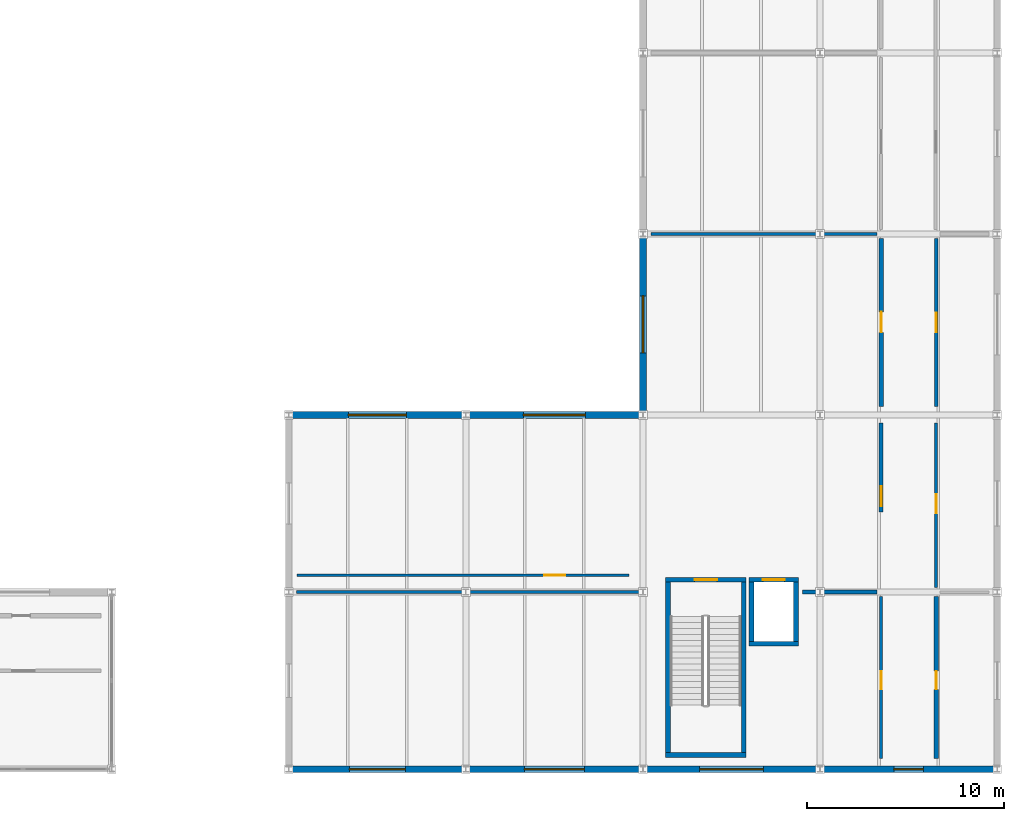
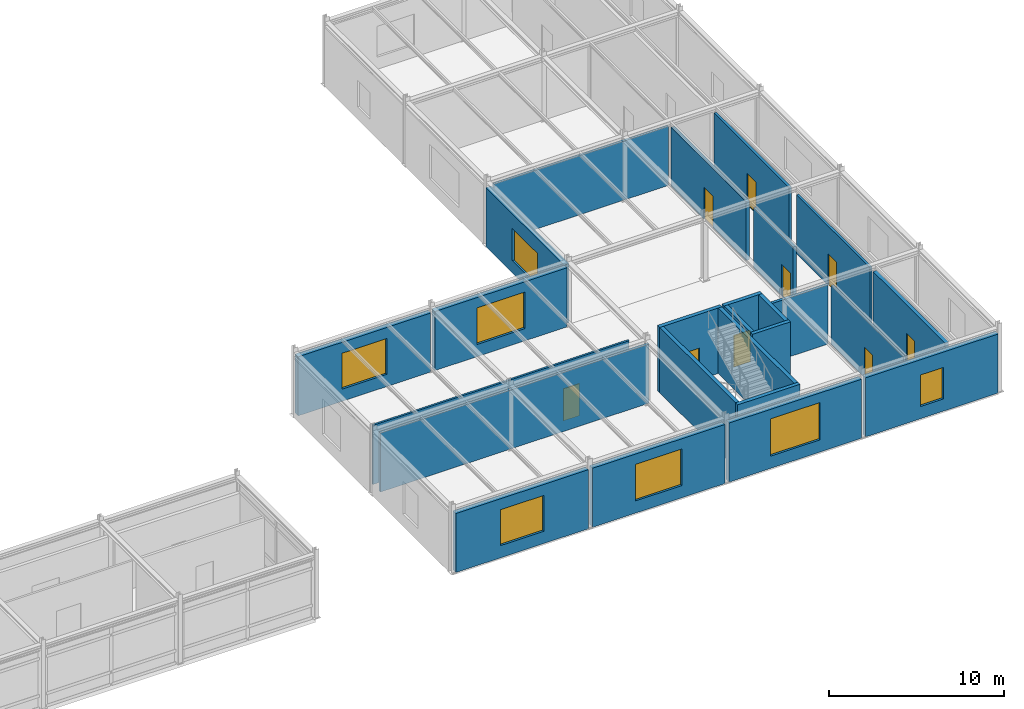
# One storey, part 49 of 61: 25 walls, 9 doors, 7 windows, 16 openings.
"""IFC4 building model written with IfcOpenShell, lengths in metres."""

from ifc_helpers import new_model, si_unit, direction, frame, frame_2d, origin, place, context, subcontext, project, spatial, rectangle, extrude, material, layer, layer_set, type_object, element, fill, save


model = new_model("IFC4")

# Units and contexts
model_context = context("Model", 3, precision=1e-05, world=origin(), true_north=direction((0.0, 1.0)))
body_context = subcontext(model_context, "Body", "Model", "MODEL_VIEW")
ifc_project = project(units=[si_unit("LENGTHUNIT", "METRE"), si_unit("AREAUNIT", "SQUARE_METRE"), si_unit("VOLUMEUNIT", "CUBIC_METRE"), si_unit("PLANEANGLEUNIT", "RADIAN"), si_unit("MASSUNIT", "GRAM", prefix="KILO")], contexts=[model_context])

# Site, building, storey
site_placement = place(None, origin())
site = spatial("IfcSite", under=ifc_project, at=site_placement, CompositionType="ELEMENT")
building_placement = place(site_placement, origin())
building = spatial("IfcBuilding", under=site, at=building_placement, Name="Bozkorgan Art Gallery", CompositionType="ELEMENT")
storey_placement = place(building_placement, frame((0.0, 0.0, 10.199951171875)))
storey = spatial("IfcBuildingStorey", under=building, at=storey_placement, Name="L02", CompositionType="ELEMENT", Elevation=10.199951171875)

# Wall, opening, door
ifc_material_1 = material(Name="Concrete C40/50", Category="concrete")
ifc_layer_1 = layer(ifc_material_1, 0.25, Name="Concrete C40/50")
ifc_layer_set_1 = layer_set([ifc_layer_1], Name="Concrete C40/50")
wall_type_1 = type_object("IfcWallType", Name="IWALL-CW-51", PredefinedType="SHEAR", material=ifc_layer_set_1)
wall_1_placement = place(storey_placement, frame((147.14990234375, 11.625, 0.0), z_axis=(0.0, 0.0, 1.0), x_axis=(1.0, 0.0, 0.0)))
wall_1 = element("IfcWall", 1, at=wall_1_placement, inside=storey, type_object=wall_type_1, Name="CORE4 L02 stair core north shear wall", PredefinedType="SHEAR", context=body_context, shape_type="SweptSolid", body=[
    extrude(rectangle(XDim=4.10009765625, YDim=0.25, at=frame_2d((2.050048828125, 0.0))), origin(), (0.0, 0.0, 1.0), 4.56005859375),
])
opening_1_placement = place(wall_1_placement, frame((2.625, 0.0, 0.0), z_axis=(0.0, 0.0, 1.0), x_axis=(-1.0, 0.0, 0.0)))
opening_1 = element("IfcOpeningElement", 2, at=opening_1_placement, cuts=wall_1, Name="Opening SD-41", PredefinedType="OPENING", context=body_context, shape_type="SweptSolid", body=[
    extrude(rectangle(XDim=1.14990234375, YDim=2.199951171875, at=frame_2d((0.574951171875, 1.10009765625))), frame((0.0, 0.135009765625, 0.0), z_axis=(0.0, -1.0, 0.0), x_axis=(1.0, 0.0, 0.0)), (0.0, 0.0, 1.0), 0.27001953125),
])
ifc_material_2 = material(Name="Steel S355J2", Category="steel")
door_type_1 = type_object("IfcDoorType", Name="IDOOR-SD-41", OperationType="NOTDEFINED", PredefinedType="DOOR", material=ifc_material_2)
door_1_placement = place(opening_1_placement, origin())
door_1 = element("IfcDoor", 3, at=door_1_placement, inside=storey, type_object=door_type_1, Name="ST4 L02 Fire Stair Door", OperationType="SINGLE_SWING_LEFT", OverallHeight=2.199951171875, OverallWidth=1.14990234375, PredefinedType="DOOR", context=body_context, shape_type="SweptSolid", body=[
    extrude(rectangle(XDim=1.14990234375, YDim=2.199951171875, at=frame_2d((0.574951171875, 1.10009765625))), frame((0.0, 0.02490234375, 0.0), z_axis=(0.0, -1.0, 0.0), x_axis=(1.0, 0.0, 0.0)), (0.0, 0.0, 1.0), 0.050048828125),
])
fill(opening_1, door_1)

# Walls
wall_2_placement = place(storey_placement, frame((147.14990234375, 2.72509765625, 0.0), z_axis=(0.0, 0.0, 1.0), x_axis=(1.0, 0.0, 0.0)))
element("IfcWall", 4, at=wall_2_placement, inside=storey, type_object=wall_type_1, Name="CORE4 L02 stair core S shear wall", PredefinedType="SHEAR", context=body_context, shape_type="SweptSolid", body=[
    extrude(rectangle(XDim=4.10009765625, YDim=0.25, at=frame_2d((2.050048828125, 0.0))), origin(), (0.0, 0.0, 1.0), 4.56005859375),
])
for number, where, z_axis, x_axis, name in (
    (5, (147.27490234375, 2.85009765625, 0.0), (0.0, 0.0, 1.0), (0.0, 1.0, 0.0), "CORE4 L02 stair core W shear wall"),
    (6, (151.125, 2.85009765625, 0.0), (0.0, 0.0, 1.0), (0.0, 1.0, 0.0), "CORE4 L02 stair core E shear wall"),
):
    element("IfcWall", number, at=place(storey_placement, frame(where, z_axis=z_axis, x_axis=x_axis)), inside=storey, type_object=wall_type_1, Name=name, PredefinedType="SHEAR", context=body_context, shape_type="SweptSolid", body=[
        extrude(rectangle(XDim=8.64990234375, YDim=0.25, at=frame_2d((4.324951171875, 0.0))), origin(), (0.0, 0.0, 1.0), 4.56005859375),
    ])

# Wall, opening, door
wall_3_placement = place(storey_placement, frame((151.39990234375, 11.625, 0.0), z_axis=(0.0, 0.0, 1.0), x_axis=(1.0, 0.0, 0.0)))
wall_3 = element("IfcWall", 7, at=wall_3_placement, inside=storey, type_object=wall_type_1, Name="PL4 L02 shaft front shear wall", PredefinedType="SHEAR", context=body_context, shape_type="SweptSolid", body=[
    extrude(rectangle(XDim=2.5, YDim=0.25, at=frame_2d((1.25, 0.0))), origin(), (0.0, 0.0, 1.0), 4.56005859375),
])
opening_2_placement = place(wall_3_placement, frame((0.699951171875, 0.0, 0.0)))
opening_2 = element("IfcOpeningElement", 8, at=opening_2_placement, cuts=wall_3, Name="Opening LD-25", PredefinedType="OPENING", context=body_context, shape_type="SweptSolid", body=[
    extrude(rectangle(XDim=1.10009765625, YDim=2.199951171875, at=frame_2d((0.550048828125, 1.10009765625))), frame((0.0, 0.135009765625, 0.0), z_axis=(0.0, -1.0, 0.0), x_axis=(1.0, 0.0, 0.0)), (0.0, 0.0, 1.0), 0.27001953125),
])
door_type_2 = type_object("IfcDoorType", Name="IDOOR-LD-25", OperationType="NOTDEFINED", PredefinedType="DOOR", material=ifc_material_2)
door_2_placement = place(opening_2_placement, origin())
door_2 = element("IfcDoor", 9, at=door_2_placement, inside=storey, type_object=door_type_2, Name="LD-PL4-L02 Lift Landing Door", OperationType="SLIDING_TO_LEFT", OverallHeight=2.199951171875, OverallWidth=1.10009765625, PredefinedType="DOOR", context=body_context, shape_type="SweptSolid", body=[
    extrude(rectangle(XDim=1.10009765625, YDim=2.199951171875, at=frame_2d((0.550048828125, 1.10009765625))), frame((0.0, 0.02490234375, 0.0), z_axis=(0.0, -1.0, 0.0), x_axis=(1.0, 0.0, 0.0)), (0.0, 0.0, 1.0), 0.050048828125),
])
fill(opening_2, door_2)

# Walls
wall_4_placement = place(storey_placement, frame((151.39990234375, 8.375, 0.0), z_axis=(0.0, 0.0, 1.0), x_axis=(1.0, 0.0, 0.0)))
element("IfcWall", 10, at=wall_4_placement, inside=storey, type_object=wall_type_1, Name="PL4 L02 shaft S shear wall", PredefinedType="SHEAR", context=body_context, shape_type="SweptSolid", body=[
    extrude(rectangle(XDim=2.5, YDim=0.25, at=frame_2d((1.25, 0.0))), origin(), (0.0, 0.0, 1.0), 4.56005859375),
])
for number, where, z_axis, x_axis, name in (
    (11, (153.77490234375, 8.5, 0.0), (0.0, 0.0, 1.0), (0.0, 1.0, 0.0), "PL4 L02 shaft E shear wall"),
    (12, (151.52490234375, 8.5, 0.0), (0.0, 0.0, 1.0), (0.0, 1.0, 0.0), "PL4 L02 shaft W shear wall"),
):
    element("IfcWall", number, at=place(storey_placement, frame(where, z_axis=z_axis, x_axis=x_axis)), inside=storey, type_object=wall_type_1, Name=name, PredefinedType="SHEAR", context=body_context, shape_type="SweptSolid", body=[
        extrude(rectangle(XDim=3.0, YDim=0.25, at=frame_2d((1.5, 0.0))), origin(), (0.0, 0.0, 1.0), 4.56005859375),
    ])

# Wall, opening, door
ifc_material_3 = material(Name="Acoustic Gypsum & Mineral Wool Partition")
ifc_layer_2 = layer(ifc_material_3, 0.22998046875, Name="Acoustic Gypsum & Mineral Wool Partition")
ifc_layer_set_2 = layer_set([ifc_layer_2], Name="Acoustic Gypsum & Mineral Wool Partition")
wall_type_2 = type_object("IfcWallType", Name="IWALL-PR-08", PredefinedType="PARTITIONING", material=ifc_layer_set_2)
wall_5_placement = place(storey_placement, frame((158.10009765625, 20.419921875, 0.0), z_axis=(0.0, 0.0, 1.0), x_axis=(0.0, 1.0, 0.0)))
wall_5 = element("IfcWall", 13, at=wall_5_placement, inside=storey, type_object=wall_type_2, Name="V6 L02 acoustic partition wall 383", PredefinedType="PARTITIONING", context=body_context, shape_type="SweptSolid", body=[
    extrude(rectangle(XDim=8.56005859375, YDim=0.22998046875, at=frame_2d((4.280029296875, 0.0))), origin(), (0.0, 0.0, 1.0), 4.114990234375),
])
opening_3_placement = place(wall_5_placement, frame((4.820068359375, 0.0, 0.0), z_axis=(0.0, 0.0, 1.0), x_axis=(-1.0, 0.0, 0.0)))
opening_3 = element("IfcOpeningElement", 14, at=opening_3_placement, cuts=wall_5, Name="Opening FD-96", PredefinedType="OPENING", context=body_context, shape_type="SweptSolid", body=[
    extrude(rectangle(XDim=1.0400390625, YDim=2.219970703125, at=frame_2d((0.52001953125, 1.10986328125))), frame((0.0, 0.125, 0.0), z_axis=(0.0, -1.0, 0.0), x_axis=(1.0, 0.0, 0.0)), (0.0, 0.0, 1.0), 0.25),
])
ifc_material_4 = material(Name="Oiled European Oak Joinery")
door_type_3 = type_object("IfcDoorType", Name="IDOOR-FD-96", OperationType="NOTDEFINED", PredefinedType="DOOR", material=ifc_material_4)
door_3_placement = place(opening_3_placement, origin())
door_3 = element("IfcDoor", 15, at=door_3_placement, inside=storey, type_object=door_type_3, Name="Plaster Casting Workshop Door", OperationType="SINGLE_SWING_RIGHT", OverallHeight=2.219970703125, OverallWidth=1.0400390625, PredefinedType="DOOR", context=body_context, shape_type="SweptSolid", body=[
    extrude(rectangle(XDim=1.0400390625, YDim=2.219970703125, at=frame_2d((0.52001953125, 1.10986328125))), frame((0.0, 0.02490234375, 0.0), z_axis=(0.0, -1.0, 0.0), x_axis=(1.0, 0.0, 0.0)), (0.0, 0.0, 1.0), 0.050048828125),
])
fill(opening_3, door_3)

wall_6_placement = place(storey_placement, frame((160.89990234375, 2.5400390625, 0.0), z_axis=(0.0, 0.0, 1.0), x_axis=(0.0, 1.0, 0.0)))
wall_6 = element("IfcWall", 16, at=wall_6_placement, inside=storey, type_object=wall_type_2, Name="V6 L02 acoustic partition wall 389", PredefinedType="PARTITIONING", context=body_context, shape_type="SweptSolid", body=[
    extrude(rectangle(XDim=8.239990234375, YDim=0.22998046875, at=frame_2d((4.1201171875, 0.0))), origin(), (0.0, 0.0, 1.0), 4.114990234375),
])
opening_4_placement = place(wall_6_placement, frame((3.519287109375, 0.0, 0.0)))
opening_4 = element("IfcOpeningElement", 17, at=opening_4_placement, cuts=wall_6, Name="Opening FD-12", PredefinedType="OPENING", context=body_context, shape_type="SweptSolid", body=[
    extrude(rectangle(XDim=0.919921875, YDim=2.1201171875, at=frame_2d((0.4599609375, 1.06005859375))), frame((0.0, 0.125, 0.0), z_axis=(0.0, -1.0, 0.0), x_axis=(1.0, 0.0, 0.0)), (0.0, 0.0, 1.0), 0.25),
])
door_type_4 = type_object("IfcDoorType", Name="IDOOR-FD-12", OperationType="NOTDEFINED", PredefinedType="DOOR", material=ifc_material_4)
door_4_placement = place(opening_4_placement, origin())
door_4 = element("IfcDoor", 18, at=door_4_placement, inside=storey, type_object=door_type_4, Name="Sculpture Workshop Studio Door", OperationType="SINGLE_SWING_RIGHT", OverallHeight=2.1201171875, OverallWidth=0.919921875, PredefinedType="DOOR", context=body_context, shape_type="SweptSolid", body=[
    extrude(rectangle(XDim=0.919921875, YDim=2.1201171875, at=frame_2d((0.4599609375, 1.06005859375))), frame((0.0, 0.02490234375, 0.0), z_axis=(0.0, -1.0, 0.0), x_axis=(1.0, 0.0, 0.0)), (0.0, 0.0, 1.0), 0.050048828125),
])
fill(opening_4, door_4)

ifc_layer_3 = layer(ifc_material_3, 0.2099609375, Name="Acoustic Gypsum & Mineral Wool Partition")
ifc_layer_set_3 = layer_set([ifc_layer_3], Name="Acoustic Gypsum & Mineral Wool Partition")
wall_type_3 = type_object("IfcWallType", Name="IWALL-PR-38", PredefinedType="PARTITIONING", material=ifc_layer_set_3)
wall_7_placement = place(storey_placement, frame((158.10009765625, 15.070068359375, 0.0), z_axis=(0.0, 0.0, 1.0), x_axis=(0.0, 1.0, 0.0)))
wall_7 = element("IfcWall", 19, at=wall_7_placement, inside=storey, type_object=wall_type_3, Name="V6 L02 acoustic partition wall 382", PredefinedType="PARTITIONING", context=body_context, shape_type="SweptSolid", body=[
    extrude(rectangle(XDim=4.510009765625, YDim=0.2099609375, at=frame_2d((2.2548828125, 0.0))), origin(), (0.0, 0.0, 1.0), 4.195068359375),
])
opening_5_placement = place(wall_7_placement, frame((1.300048828125, 0.0, 0.0), z_axis=(0.0, 0.0, 1.0), x_axis=(-1.0, 0.0, 0.0)))
opening_5 = element("IfcOpeningElement", 20, at=opening_5_placement, cuts=wall_7, Name="Opening FD-60", PredefinedType="OPENING", context=body_context, shape_type="SweptSolid", body=[
    extrude(rectangle(XDim=1.0, YDim=2.199951171875, at=frame_2d((0.5, 1.10009765625))), frame((0.0, 0.114990234375, 0.0), z_axis=(0.0, -1.0, 0.0), x_axis=(1.0, 0.0, 0.0)), (0.0, 0.0, 1.0), 0.22998046875),
])
door_type_5 = type_object("IfcDoorType", Name="IDOOR-FD-60", OperationType="NOTDEFINED", PredefinedType="DOOR", material=ifc_material_4)
door_5_placement = place(opening_5_placement, origin())
door_5 = element("IfcDoor", 21, at=door_5_placement, inside=storey, type_object=door_type_5, Name="Ceramic Kiln Studio Door", OperationType="SINGLE_SWING_LEFT", OverallHeight=2.199951171875, OverallWidth=1.0, PredefinedType="DOOR", context=body_context, shape_type="SweptSolid", body=[
    extrude(rectangle(XDim=1.0, YDim=2.199951171875, at=frame_2d((0.5, 1.10009765625))), frame((0.0, 0.02490234375, 0.0), z_axis=(0.0, -1.0, 0.0), x_axis=(1.0, 0.0, 0.0)), (0.0, 0.0, 1.0), 0.050048828125),
])
fill(opening_5, door_5)

ifc_layer_4 = layer(ifc_material_3, 0.169921875, Name="Acoustic Gypsum & Mineral Wool Partition")
ifc_layer_set_4 = layer_set([ifc_layer_4], Name="Acoustic Gypsum & Mineral Wool Partition")
wall_type_4 = type_object("IfcWallType", Name="IWALL-PR-40", PredefinedType="PARTITIONING", material=ifc_layer_set_4)
wall_8_placement = place(storey_placement, frame((160.89990234375, 20.419921875, 0.0), z_axis=(0.0, 0.0, 1.0), x_axis=(0.0, 1.0, 0.0)))
wall_8 = element("IfcWall", 22, at=wall_8_placement, inside=storey, type_object=wall_type_4, Name="V6 L02 acoustic partition wall 392", PredefinedType="PARTITIONING", context=body_context, shape_type="SweptSolid", body=[
    extrude(rectangle(XDim=8.56005859375, YDim=0.169921875, at=frame_2d((4.280029296875, 0.0))), origin(), (0.0, 0.0, 1.0), 4.114990234375),
])
opening_6_placement = place(wall_8_placement, frame((3.780029296875, 0.0, 0.0)))
opening_6 = element("IfcOpeningElement", 23, at=opening_6_placement, cuts=wall_8, Name="Opening FD-60", PredefinedType="OPENING", context=body_context, shape_type="SweptSolid", body=[
    extrude(rectangle(XDim=1.0, YDim=2.199951171875, at=frame_2d((0.5, 1.10009765625))), frame((0.0, 0.094970703125, 0.0), z_axis=(0.0, -1.0, 0.0), x_axis=(1.0, 0.0, 0.0)), (0.0, 0.0, 1.0), 0.18994140625),
])
door_6_placement = place(opening_6_placement, origin())
door_6 = element("IfcDoor", 24, at=door_6_placement, inside=storey, type_object=door_type_5, Name="Plaster Casting Workshop Door", OperationType="SINGLE_SWING_RIGHT", OverallHeight=2.199951171875, OverallWidth=1.0, PredefinedType="DOOR", context=body_context, shape_type="SweptSolid", body=[
    extrude(rectangle(XDim=1.0, YDim=2.199951171875, at=frame_2d((0.5, 1.10009765625))), frame((0.0, 0.02490234375, 0.0), z_axis=(0.0, -1.0, 0.0), x_axis=(1.0, 0.0, 0.0)), (0.0, 0.0, 1.0), 0.050048828125),
])
fill(opening_6, door_6)

ifc_layer_5 = layer(ifc_material_3, 0.14990234375, Name="Acoustic Gypsum & Mineral Wool Partition")
ifc_layer_set_5 = layer_set([ifc_layer_5], Name="Acoustic Gypsum & Mineral Wool Partition")
wall_type_5 = type_object("IfcWallType", Name="IWALL-PR-55", PredefinedType="PARTITIONING", material=ifc_layer_set_5)
wall_9_placement = place(storey_placement, frame((158.10009765625, 2.5400390625, 0.0), z_axis=(0.0, 0.0, 1.0), x_axis=(0.0, 1.0, 0.0)))
wall_9 = element("IfcWall", 25, at=wall_9_placement, inside=storey, type_object=wall_type_5, Name="V6 L02 acoustic partition wall 379", PredefinedType="PARTITIONING", context=body_context, shape_type="SweptSolid", body=[
    extrude(rectangle(XDim=8.239990234375, YDim=0.14990234375, at=frame_2d((4.1201171875, 0.0))), origin(), (0.0, 0.0, 1.0), 4.114990234375),
])
opening_7_placement = place(wall_9_placement, frame((4.439208984375, 0.0, 0.0), z_axis=(0.0, 0.0, 1.0), x_axis=(-1.0, 0.0, 0.0)))
opening_7 = element("IfcOpeningElement", 26, at=opening_7_placement, cuts=wall_9, Name="Opening FD-12", PredefinedType="OPENING", context=body_context, shape_type="SweptSolid", body=[
    extrude(rectangle(XDim=0.919921875, YDim=2.1201171875, at=frame_2d((0.4599609375, 1.06005859375))), frame((0.0, 0.0849609375, 0.0), z_axis=(0.0, -1.0, 0.0), x_axis=(1.0, 0.0, 0.0)), (0.0, 0.0, 1.0), 0.169921875),
])
door_7_placement = place(opening_7_placement, origin())
door_7 = element("IfcDoor", 27, at=door_7_placement, inside=storey, type_object=door_type_4, Name="Sculpture Workshop Studio Door", OperationType="SINGLE_SWING_RIGHT", OverallHeight=2.1201171875, OverallWidth=0.919921875, PredefinedType="DOOR", context=body_context, shape_type="SweptSolid", body=[
    extrude(rectangle(XDim=0.919921875, YDim=2.1201171875, at=frame_2d((0.4599609375, 1.06005859375))), frame((0.0, 0.02490234375, 0.0), z_axis=(0.0, -1.0, 0.0), x_axis=(1.0, 0.0, 0.0)), (0.0, 0.0, 1.0), 0.050048828125),
])
fill(opening_7, door_7)

wall_10_placement = place(storey_placement, frame((160.89990234375, 11.219970703125, 0.0), z_axis=(0.0, 0.0, 1.0), x_axis=(0.0, 1.0, 0.0)))
wall_10 = element("IfcWall", 28, at=wall_10_placement, inside=storey, type_object=wall_type_5, Name="V6 L02 acoustic partition wall 391", PredefinedType="PARTITIONING", context=body_context, shape_type="SweptSolid", body=[
    extrude(rectangle(XDim=8.360107421875, YDim=0.14990234375, at=frame_2d((4.18017578125, 0.0))), origin(), (0.0, 0.0, 1.0), 4.114990234375),
])
opening_8_placement = place(wall_10_placement, frame((3.782470703125, 0.0, 0.0)))
opening_8 = element("IfcOpeningElement", 29, at=opening_8_placement, cuts=wall_10, Name="Opening FD-75", PredefinedType="OPENING", context=body_context, shape_type="SweptSolid", body=[
    extrude(rectangle(XDim=0.97998046875, YDim=2.179931640625, at=frame_2d((0.489990234375, 1.08984375))), frame((0.0, 0.0849609375, 0.0), z_axis=(0.0, -1.0, 0.0), x_axis=(1.0, 0.0, 0.0)), (0.0, 0.0, 1.0), 0.169921875),
])
door_type_6 = type_object("IfcDoorType", Name="IDOOR-FD-75", OperationType="NOTDEFINED", PredefinedType="DOOR", material=ifc_material_4)
door_8_placement = place(opening_8_placement, origin())
door_8 = element("IfcDoor", 30, at=door_8_placement, inside=storey, type_object=door_type_6, Name="Ceramic Kiln Studio Door", OperationType="SINGLE_SWING_LEFT", OverallHeight=2.179931640625, OverallWidth=0.97998046875, PredefinedType="DOOR", context=body_context, shape_type="SweptSolid", body=[
    extrude(rectangle(XDim=0.97998046875, YDim=2.179931640625, at=frame_2d((0.489990234375, 1.08984375))), frame((0.0, 0.02490234375, 0.0), z_axis=(0.0, -1.0, 0.0), x_axis=(1.0, 0.0, 0.0)), (0.0, 0.0, 1.0), 0.050048828125),
])
fill(opening_8, door_8)

ifc_layer_6 = layer(ifc_material_3, 0.1298828125, Name="Acoustic Gypsum & Mineral Wool Partition")
ifc_layer_set_6 = layer_set([ifc_layer_6], Name="Acoustic Gypsum & Mineral Wool Partition")
wall_type_6 = type_object("IfcWallType", Name="IWALL-PR-76", PredefinedType="PARTITIONING", material=ifc_layer_set_6)
wall_11_placement = place(storey_placement, frame((128.419921875, 11.85009765625, 0.0), z_axis=(0.0, 0.0, 1.0), x_axis=(1.0, 0.0, 0.0)))
wall_11 = element("IfcWall", 31, at=wall_11_placement, inside=storey, type_object=wall_type_6, Name="V6 L02 acoustic partition wall 384", PredefinedType="PARTITIONING", context=body_context, shape_type="SweptSolid", body=[
    extrude(rectangle(XDim=16.880126953125, YDim=0.1298828125, at=frame_2d((8.43994140625, 0.0))), origin(), (0.0, 0.0, 1.0), 4.114990234375),
])
opening_9_placement = place(wall_11_placement, frame((12.564208984375, 0.0, 0.0)))
opening_9 = element("IfcOpeningElement", 32, at=opening_9_placement, cuts=wall_11, Name="Opening FD-44", PredefinedType="OPENING", context=body_context, shape_type="SweptSolid", body=[
    extrude(rectangle(XDim=1.080078125, YDim=2.239990234375, at=frame_2d((0.5400390625, 1.1201171875))), frame((0.0, 0.074951171875, 0.0), z_axis=(0.0, -1.0, 0.0), x_axis=(1.0, 0.0, 0.0)), (0.0, 0.0, 1.0), 0.14990234375),
])
door_type_7 = type_object("IfcDoorType", Name="IDOOR-FD-44", OperationType="NOTDEFINED", PredefinedType="DOOR", material=ifc_material_4)
door_9_placement = place(opening_9_placement, origin())
door_9 = element("IfcDoor", 33, at=door_9_placement, inside=storey, type_object=door_type_7, Name="Critique Seminar Room Door", OperationType="SINGLE_SWING_LEFT", OverallHeight=2.239990234375, OverallWidth=1.080078125, PredefinedType="DOOR", context=body_context, shape_type="SweptSolid", body=[
    extrude(rectangle(XDim=1.080078125, YDim=2.239990234375, at=frame_2d((0.5400390625, 1.1201171875))), frame((0.0, 0.02490234375, 0.0), z_axis=(0.0, -1.0, 0.0), x_axis=(1.0, 0.0, 0.0)), (0.0, 0.0, 1.0), 0.050048828125),
])
fill(opening_9, door_9)

# Walls
ifc_layer_7 = layer(ifc_material_3, 0.169921875, Name="Acoustic Gypsum & Mineral Wool Partition")
ifc_layer_set_7 = layer_set([ifc_layer_7], Name="Acoustic Gypsum & Mineral Wool Partition")
wall_type_7 = type_object("IfcWallType", Name="IWALL-PW-02", PredefinedType="PARTITIONING", material=ifc_layer_set_7)
wall_12_placement = place(storey_placement, frame((128.39990234375, 11.0, 0.0), z_axis=(0.0, 0.0, 1.0), x_axis=(1.0, 0.0, 0.0)))
element("IfcWall", 34, at=wall_12_placement, inside=storey, type_object=wall_type_7, Name="V6 L02 acoustic partition wall 380", PredefinedType="PARTITIONING", context=body_context, shape_type="SweptSolid", body=[
    extrude(rectangle(XDim=17.72021484375, YDim=0.169921875, at=frame_2d((8.860107421875, 0.0))), origin(), (0.0, 0.0, 1.0), 4.114990234375),
])
ifc_layer_8 = layer(ifc_material_3, 0.14990234375, Name="Acoustic Gypsum & Mineral Wool Partition")
ifc_layer_set_8 = layer_set([ifc_layer_8], Name="Acoustic Gypsum & Mineral Wool Partition")
wall_type_8 = type_object("IfcWallType", Name="IWALL-PW-17", PredefinedType="PARTITIONING", material=ifc_layer_set_8)
wall_13_placement = place(storey_placement, frame((146.39990234375, 29.199951171875, 0.0), z_axis=(0.0, 0.0, 1.0), x_axis=(1.0, 0.0, 0.0)))
element("IfcWall", 35, at=wall_13_placement, inside=storey, type_object=wall_type_8, Name="V6 L02 acoustic partition wall 385", PredefinedType="PARTITIONING", context=body_context, shape_type="SweptSolid", body=[
    extrude(rectangle(XDim=11.5, YDim=0.14990234375, at=frame_2d((5.75, 0.0))), origin(), (0.0, 0.0, 1.0), 4.114990234375),
])
ifc_layer_9 = layer(ifc_material_3, 0.18994140625, Name="Acoustic Gypsum & Mineral Wool Partition")
ifc_layer_set_9 = layer_set([ifc_layer_9], Name="Acoustic Gypsum & Mineral Wool Partition")
wall_type_9 = type_object("IfcWallType", Name="IWALL-PW-23", PredefinedType="PARTITIONING", material=ifc_layer_set_9)
wall_14_placement = place(storey_placement, frame((154.110107421875, 11.0, 0.0), z_axis=(0.0, 0.0, 1.0), x_axis=(1.0, 0.0, 0.0)))
element("IfcWall", 36, at=wall_14_placement, inside=storey, type_object=wall_type_9, Name="V6 L02 acoustic partition wall 381", PredefinedType="PARTITIONING", context=body_context, shape_type="SweptSolid", body=[
    extrude(rectangle(XDim=3.789794921875, YDim=0.18994140625, at=frame_2d((1.89501953125, 0.0))), origin(), (0.0, 0.0, 1.0), 4.114990234375),
])

# Wall, opening, window
ifc_material_5 = material(Name="Pressed Terracotta Brick Masonry", Category="masonry")
ifc_layer_10 = layer(ifc_material_5, 0.340087890625, Name="Pressed Terracotta Brick Masonry")
ifc_layer_set_10 = layer_set([ifc_layer_10], Name="Pressed Terracotta Brick Masonry")
wall_type_10 = type_object("IfcWallType", Name="WALL-WB-71", PredefinedType="STANDARD", material=ifc_layer_set_10)
wall_15_placement = place(storey_placement, frame((128.139892578125, 2.0, 0.0), z_axis=(0.0, 0.0, 1.0), x_axis=(1.0, 0.0, 0.0)))
wall_15 = element("IfcWall", 37, at=wall_15_placement, inside=storey, type_object=wall_type_10, Name="V6 L02 exterior facade wall 1S-1", PredefinedType="STANDARD", context=body_context, shape_type="SweptSolid", body=[
    extrude(rectangle(XDim=8.72021484375, YDim=0.340087890625, at=frame_2d((4.360107421875, 0.0))), origin(), (0.0, 0.0, 1.0), 4.114990234375),
])
opening_10_placement = place(wall_15_placement, frame((5.78515625, 0.0, 0.85009765625), z_axis=(0.0, 0.0, 1.0), x_axis=(-1.0, 0.0, 0.0)))
opening_10 = element("IfcOpeningElement", 38, at=opening_10_placement, cuts=wall_15, Name="Opening WN-82", PredefinedType="OPENING", context=body_context, shape_type="SweptSolid", body=[
    extrude(rectangle(XDim=2.85009765625, YDim=2.5, at=frame_2d((1.425048828125, 1.25))), frame((0.0, 0.18017578125, 0.0), z_axis=(0.0, -1.0, 0.0), x_axis=(1.0, 0.0, 0.0)), (0.0, 0.0, 1.0), 0.360107421875),
])
ifc_material_6 = material(Name="Triple Low-E Laminated Glass", Category="glass")
window_type_1 = type_object("IfcWindowType", Name="WIN-WN-82", PartitioningType="SINGLE_PANEL", PredefinedType="WINDOW", material=ifc_material_6)
window_1_placement = place(opening_10_placement, origin())
window_1 = element("IfcWindow", 39, at=window_1_placement, inside=storey, type_object=window_type_1, Name="V6 L02 gallery window 1S-1", OverallHeight=2.5, OverallWidth=2.85009765625, PartitioningType="SINGLE_PANEL", PredefinedType="WINDOW", context=body_context, shape_type="SweptSolid", body=[
    extrude(rectangle(XDim=2.85009765625, YDim=2.5, at=frame_2d((1.425048828125, 1.25))), frame((0.0, 0.030029296875, 0.0), z_axis=(0.0, -1.0, 0.0), x_axis=(1.0, 0.0, 0.0)), (0.0, 0.0, 1.0), 0.06005859375),
])
fill(opening_10, window_1)

wall_16_placement = place(storey_placement, frame((128.139892578125, 20.0, 0.0), z_axis=(0.0, 0.0, 1.0), x_axis=(1.0, 0.0, 0.0)))
wall_16 = element("IfcWall", 40, at=wall_16_placement, inside=storey, type_object=wall_type_10, Name="V6 L02 exterior facade wall 1N-2", PredefinedType="STANDARD", context=body_context, shape_type="SweptSolid", body=[
    extrude(rectangle(XDim=8.72021484375, YDim=0.340087890625, at=frame_2d((4.360107421875, 0.0))), origin(), (0.0, 0.0, 1.0), 4.114990234375),
])
opening_11_placement = place(wall_16_placement, frame((2.885009765625, 0.0, 0.85009765625)))
opening_11 = element("IfcOpeningElement", 41, at=opening_11_placement, cuts=wall_16, Name="Opening WN-40", PredefinedType="OPENING", context=body_context, shape_type="SweptSolid", body=[
    extrude(rectangle(XDim=2.949951171875, YDim=2.5, at=frame_2d((1.47509765625, 1.25))), frame((0.0, 0.18017578125, 0.0), z_axis=(0.0, -1.0, 0.0), x_axis=(1.0, 0.0, 0.0)), (0.0, 0.0, 1.0), 0.360107421875),
])
window_type_2 = type_object("IfcWindowType", Name="WIN-WN-40", PartitioningType="SINGLE_PANEL", PredefinedType="WINDOW", material=ifc_material_6)
window_2_placement = place(opening_11_placement, origin())
window_2 = element("IfcWindow", 42, at=window_2_placement, inside=storey, type_object=window_type_2, Name="V6 L02 gallery window 1N-2", OverallHeight=2.5, OverallWidth=2.949951171875, PartitioningType="SINGLE_PANEL", PredefinedType="WINDOW", context=body_context, shape_type="SweptSolid", body=[
    extrude(rectangle(XDim=2.949951171875, YDim=2.5, at=frame_2d((1.47509765625, 1.25))), frame((0.0, 0.030029296875, 0.0), z_axis=(0.0, -1.0, 0.0), x_axis=(1.0, 0.0, 0.0)), (0.0, 0.0, 1.0), 0.06005859375),
])
fill(opening_11, window_2)

wall_17_placement = place(storey_placement, frame((137.139892578125, 2.0, 0.0), z_axis=(0.0, 0.0, 1.0), x_axis=(1.0, 0.0, 0.0)))
wall_17 = element("IfcWall", 43, at=wall_17_placement, inside=storey, type_object=wall_type_10, Name="V6 L02 exterior facade wall 1S-3", PredefinedType="STANDARD", context=body_context, shape_type="SweptSolid", body=[
    extrude(rectangle(XDim=8.72021484375, YDim=0.340087890625, at=frame_2d((4.360107421875, 0.0))), origin(), (0.0, 0.0, 1.0), 4.114990234375),
])
opening_12_placement = place(wall_17_placement, frame((5.885009765625, 0.0, 0.85009765625), z_axis=(0.0, 0.0, 1.0), x_axis=(-1.0, 0.0, 0.0)))
opening_12 = element("IfcOpeningElement", 44, at=opening_12_placement, cuts=wall_17, Name="Opening WN-30", PredefinedType="OPENING", context=body_context, shape_type="SweptSolid", body=[
    extrude(rectangle(XDim=3.050048828125, YDim=2.550048828125, at=frame_2d((1.52490234375, 1.27490234375))), frame((0.0, 0.18017578125, 0.0), z_axis=(0.0, -1.0, 0.0), x_axis=(1.0, 0.0, 0.0)), (0.0, 0.0, 1.0), 0.360107421875),
])
window_type_3 = type_object("IfcWindowType", Name="WIN-WN-30", PartitioningType="SINGLE_PANEL", PredefinedType="WINDOW", material=ifc_material_6)
window_3_placement = place(opening_12_placement, origin())
window_3 = element("IfcWindow", 45, at=window_3_placement, inside=storey, type_object=window_type_3, Name="V6 L02 gallery window 1S-3", OverallHeight=2.550048828125, OverallWidth=3.050048828125, PartitioningType="SINGLE_PANEL", PredefinedType="WINDOW", context=body_context, shape_type="SweptSolid", body=[
    extrude(rectangle(XDim=3.050048828125, YDim=2.550048828125, at=frame_2d((1.52490234375, 1.27490234375))), frame((0.0, 0.030029296875, 0.0), z_axis=(0.0, -1.0, 0.0), x_axis=(1.0, 0.0, 0.0)), (0.0, 0.0, 1.0), 0.06005859375),
])
fill(opening_12, window_3)

wall_18_placement = place(storey_placement, frame((137.139892578125, 20.0, 0.0), z_axis=(0.0, 0.0, 1.0), x_axis=(1.0, 0.0, 0.0)))
wall_18 = element("IfcWall", 46, at=wall_18_placement, inside=storey, type_object=wall_type_10, Name="V6 L02 exterior facade wall 1N-4", PredefinedType="STANDARD", context=body_context, shape_type="SweptSolid", body=[
    extrude(rectangle(XDim=8.710205078125, YDim=0.340087890625, at=frame_2d((4.35498046875, 0.0))), origin(), (0.0, 0.0, 1.0), 4.114990234375),
])
opening_13_placement = place(wall_18_placement, frame((2.780029296875, 0.0, 0.85009765625)))
opening_13 = element("IfcOpeningElement", 47, at=opening_13_placement, cuts=wall_18, Name="Opening WN-84", PredefinedType="OPENING", context=body_context, shape_type="SweptSolid", body=[
    extrude(rectangle(XDim=3.14990234375, YDim=2.550048828125, at=frame_2d((1.574951171875, 1.27490234375))), frame((0.0, 0.18017578125, 0.0), z_axis=(0.0, -1.0, 0.0), x_axis=(1.0, 0.0, 0.0)), (0.0, 0.0, 1.0), 0.360107421875),
])
window_type_4 = type_object("IfcWindowType", Name="WIN-WN-84", PartitioningType="SINGLE_PANEL", PredefinedType="WINDOW", material=ifc_material_6)
window_4_placement = place(opening_13_placement, origin())
window_4 = element("IfcWindow", 48, at=window_4_placement, inside=storey, type_object=window_type_4, Name="V6 L02 gallery window 1N-4", OverallHeight=2.550048828125, OverallWidth=3.14990234375, PartitioningType="SINGLE_PANEL", PredefinedType="WINDOW", context=body_context, shape_type="SweptSolid", body=[
    extrude(rectangle(XDim=3.14990234375, YDim=2.550048828125, at=frame_2d((1.574951171875, 1.27490234375))), frame((0.0, 0.030029296875, 0.0), z_axis=(0.0, -1.0, 0.0), x_axis=(1.0, 0.0, 0.0)), (0.0, 0.0, 1.0), 0.06005859375),
])
fill(opening_13, window_4)

wall_19_placement = place(storey_placement, frame((146.139892578125, 2.0, 0.0), z_axis=(0.0, 0.0, 1.0), x_axis=(1.0, 0.0, 0.0)))
wall_19 = element("IfcWall", 49, at=wall_19_placement, inside=storey, type_object=wall_type_10, Name="V6 L02 exterior facade wall 1S-5", PredefinedType="STANDARD", context=body_context, shape_type="SweptSolid", body=[
    extrude(rectangle(XDim=8.72021484375, YDim=0.340087890625, at=frame_2d((4.360107421875, 0.0))), origin(), (0.0, 0.0, 1.0), 4.114990234375),
])
opening_14_placement = place(wall_19_placement, frame((5.985107421875, 0.0, 0.85009765625), z_axis=(0.0, 0.0, 1.0), x_axis=(-1.0, 0.0, 0.0)))
opening_14 = element("IfcOpeningElement", 50, at=opening_14_placement, cuts=wall_19, Name="Opening WN-38", PredefinedType="OPENING", context=body_context, shape_type="SweptSolid", body=[
    extrude(rectangle(XDim=3.25, YDim=2.60009765625, at=frame_2d((1.625, 1.300048828125))), frame((0.0, 0.18017578125, 0.0), z_axis=(0.0, -1.0, 0.0), x_axis=(1.0, 0.0, 0.0)), (0.0, 0.0, 1.0), 0.360107421875),
])
window_type_5 = type_object("IfcWindowType", Name="WIN-WN-38", PartitioningType="SINGLE_PANEL", PredefinedType="WINDOW", material=ifc_material_6)
window_5_placement = place(opening_14_placement, origin())
window_5 = element("IfcWindow", 51, at=window_5_placement, inside=storey, type_object=window_type_5, Name="V6 L02 gallery window 1S-5", OverallHeight=2.60009765625, OverallWidth=3.25, PartitioningType="SINGLE_PANEL", PredefinedType="WINDOW", context=body_context, shape_type="SweptSolid", body=[
    extrude(rectangle(XDim=3.25, YDim=2.60009765625, at=frame_2d((1.625, 1.300048828125))), frame((0.0, 0.030029296875, 0.0), z_axis=(0.0, -1.0, 0.0), x_axis=(1.0, 0.0, 0.0)), (0.0, 0.0, 1.0), 0.06005859375),
])
fill(opening_14, window_5)

wall_20_placement = place(storey_placement, frame((155.139892578125, 2.0, 0.0), z_axis=(0.0, 0.0, 1.0), x_axis=(1.0, 0.0, 0.0)))
wall_20 = element("IfcWall", 52, at=wall_20_placement, inside=storey, type_object=wall_type_10, Name="V6 L02 exterior facade wall 1S-6", PredefinedType="STANDARD", context=body_context, shape_type="SweptSolid", body=[
    extrude(rectangle(XDim=8.72021484375, YDim=0.340087890625, at=frame_2d((4.360107421875, 0.0))), origin(), (0.0, 0.0, 1.0), 4.114990234375),
])
opening_15_placement = place(wall_20_placement, frame((5.110107421875, 0.0, 0.85009765625), z_axis=(0.0, 0.0, 1.0), x_axis=(-1.0, 0.0, 0.0)))
opening_15 = element("IfcOpeningElement", 53, at=opening_15_placement, cuts=wall_20, Name="Opening WN-07", PredefinedType="OPENING", context=body_context, shape_type="SweptSolid", body=[
    extrude(rectangle(XDim=1.5, YDim=2.199951171875, at=frame_2d((0.75, 1.10009765625))), frame((0.0, 0.18017578125, 0.0), z_axis=(0.0, -1.0, 0.0), x_axis=(1.0, 0.0, 0.0)), (0.0, 0.0, 1.0), 0.360107421875),
])
window_type_6 = type_object("IfcWindowType", Name="WIN-WN-07", PartitioningType="SINGLE_PANEL", PredefinedType="WINDOW", material=ifc_material_6)
window_6_placement = place(opening_15_placement, origin())
window_6 = element("IfcWindow", 54, at=window_6_placement, inside=storey, type_object=window_type_6, Name="V6 L02 gallery window 1S-6", OverallHeight=2.199951171875, OverallWidth=1.5, PartitioningType="SINGLE_PANEL", PredefinedType="WINDOW", context=body_context, shape_type="SweptSolid", body=[
    extrude(rectangle(XDim=1.5, YDim=2.199951171875, at=frame_2d((0.75, 1.10009765625))), frame((0.0, 0.030029296875, 0.0), z_axis=(0.0, -1.0, 0.0), x_axis=(1.0, 0.0, 0.0)), (0.0, 0.0, 1.0), 0.06005859375),
])
fill(opening_15, window_6)

wall_21_placement = place(storey_placement, frame((146.0, 20.14501953125, 0.0), z_axis=(0.0, 0.0, 1.0), x_axis=(0.0, 1.0, 0.0)))
wall_21 = element("IfcWall", 55, at=wall_21_placement, inside=storey, type_object=wall_type_10, Name="V6 L02 exterior facade wall 2W-3", PredefinedType="STANDARD", context=body_context, shape_type="SweptSolid", body=[
    extrude(rectangle(XDim=8.9150390625, YDim=0.340087890625, at=frame_2d((4.45751953125, 0.0))), origin(), (0.0, 0.0, 1.0), 4.114990234375),
])
opening_16_placement = place(wall_21_placement, frame((3.007568359375, 0.0, 0.85009765625)))
opening_16 = element("IfcOpeningElement", 56, at=opening_16_placement, cuts=wall_21, Name="Opening WN-54", PredefinedType="OPENING", context=body_context, shape_type="SweptSolid", body=[
    extrude(rectangle(XDim=2.89990234375, YDim=2.25, at=frame_2d((1.449951171875, 1.125))), frame((0.0, 0.18017578125, 0.0), z_axis=(0.0, -1.0, 0.0), x_axis=(1.0, 0.0, 0.0)), (0.0, 0.0, 1.0), 0.360107421875),
])
window_type_7 = type_object("IfcWindowType", Name="WIN-WN-54", PartitioningType="SINGLE_PANEL", PredefinedType="WINDOW", material=ifc_material_6)
window_7_placement = place(opening_16_placement, origin())
window_7 = element("IfcWindow", 57, at=window_7_placement, inside=storey, type_object=window_type_7, Name="V6 L02 gallery window 2W-3", OverallHeight=2.25, OverallWidth=2.89990234375, PartitioningType="SINGLE_PANEL", PredefinedType="WINDOW", context=body_context, shape_type="SweptSolid", body=[
    extrude(rectangle(XDim=2.89990234375, YDim=2.25, at=frame_2d((1.449951171875, 1.125))), frame((0.0, 0.030029296875, 0.0), z_axis=(0.0, -1.0, 0.0), x_axis=(1.0, 0.0, 0.0)), (0.0, 0.0, 1.0), 0.06005859375),
])
fill(opening_16, window_7)

save(model, "model.ifc")
